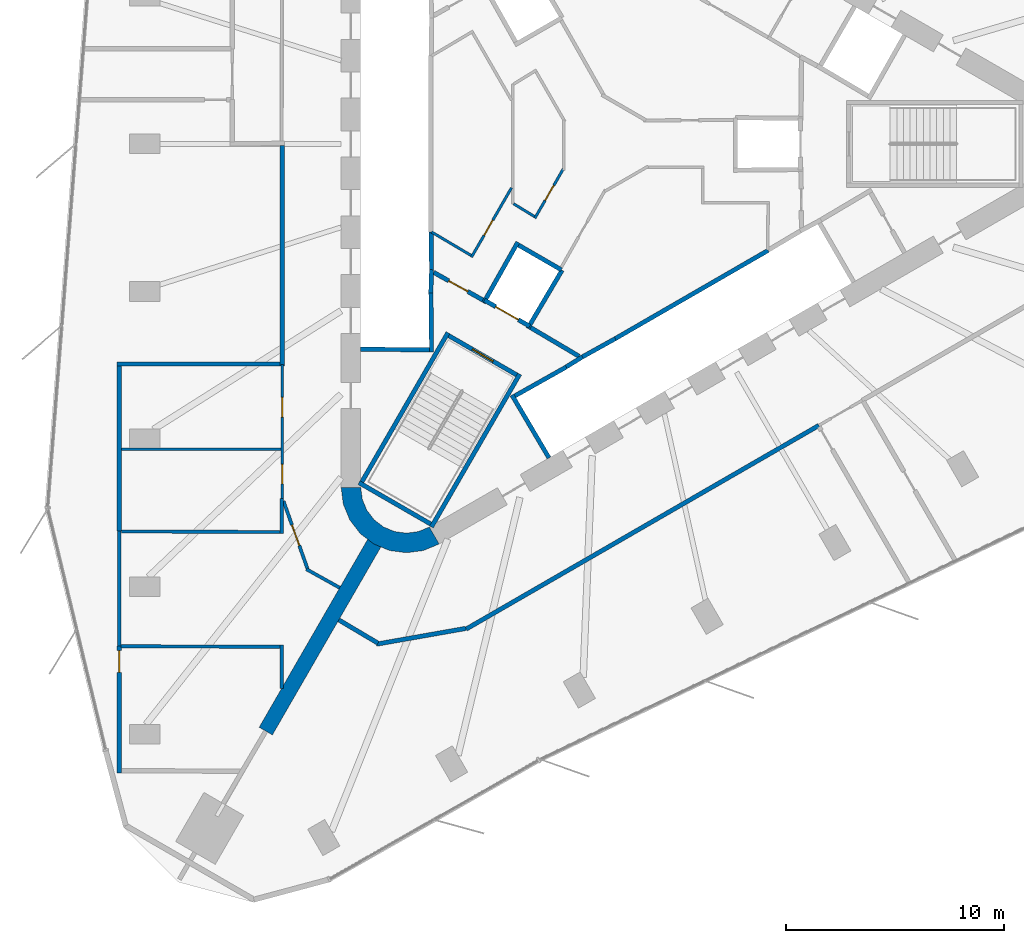
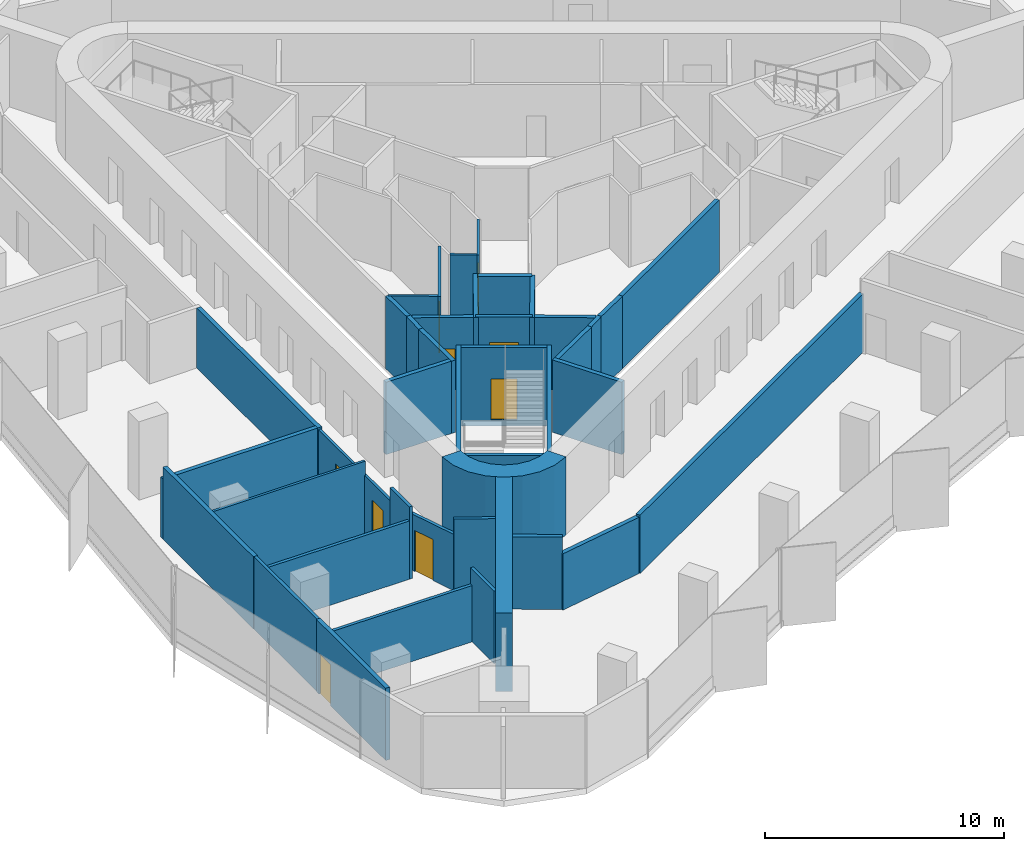
# One storey, part 8 of 13: 41 walls, 9 doors, 9 openings.
"""IFC4 building model written with IfcOpenShell, lengths in metres."""

import ifcopenshell
import ifcopenshell.guid

model = None  # the IFC model being written
_history = None  # IfcOwnerHistory: only IFC2X3 demands one
_inside = {}  # id of a spatial element -> (the spatial element, [elements in it])
_under = {}  # id of a project, library or spatial element -> (it, [spatial elements below it])
_declared = {}  # id of a project -> (the project, [libraries it declares])
_typed = {}  # id of a type object -> (the type object, [elements of that type])
_made_of = {}  # id of a material, layer set ... -> (it, [elements and type objects made of it])


def new_model(schema):
    """Start an empty IFC model of exactly this schema.

    Asked for "IFC4X3", IfcOpenShell would pick the latest addendum, in which some entities
    have other attributes; the version numbers below select the first issue.
    IFC2X3 requires an IfcOwnerHistory on every rooted entity: one is made here for all.
    """
    global model, _history
    if schema == "IFC4X3":
        model = ifcopenshell.file(schema_version=(4, 3, 0, 0))
    else:
        model = ifcopenshell.file(schema=schema)
    _inside.clear()
    _under.clear()
    _declared.clear()
    _typed.clear()
    _made_of.clear()
    _history = None
    if model.schema == "IFC2X3":
        org = make("IfcOrganization", Name="unknown")
        user = make(
            "IfcPersonAndOrganization",
            ThePerson=make("IfcPerson", FamilyName="unknown"),
            TheOrganization=org,
        )
        app = make(
            "IfcApplication",
            ApplicationDeveloper=org,
            Version="unknown",
            ApplicationFullName="unknown",
            ApplicationIdentifier="unknown",
        )
        _history = make(
            "IfcOwnerHistory",
            OwningUser=user,
            OwningApplication=app,
            ChangeAction="ADDED",
            CreationDate=0,
        )
    return model


def make(cls, **values):
    """One entity of the class cls with the attributes given. An attribute that is None is left unset."""
    return model.create_entity(
        cls, **{name: value for name, value in values.items() if value is not None}
    )


def rooted(cls, **values):
    """An entity with a GlobalId (a new one), such as an element, a storey or a relation."""
    return make(cls, GlobalId=ifcopenshell.guid.new(), OwnerHistory=_history, **values)


def si_unit(unit_type, name, prefix=None):
    """IfcSIUnit, for example si_unit("LENGTHUNIT", "METRE", prefix="MILLI")."""
    return make("IfcSIUnit", UnitType=unit_type, Prefix=prefix, Name=name)


def assignment(units):
    """IfcUnitAssignment: the units of a project."""
    return None if units is None else make("IfcUnitAssignment", Units=units)


def point(xyz):
    """IfcCartesianPoint."""
    return None if xyz is None else make("IfcCartesianPoint", Coordinates=xyz)


def direction(xyz):
    """IfcDirection."""
    return None if xyz is None else make("IfcDirection", DirectionRatios=xyz)


def frame(location, z_axis=None, x_axis=None):
    """IfcAxis2Placement3D, a coordinate frame: its origin and axes. An axis left out is left unset."""
    return make(
        "IfcAxis2Placement3D",
        Location=point(location),
        Axis=direction(z_axis),
        RefDirection=direction(x_axis),
    )


def frame_2d(location, x_axis=None):
    """IfcAxis2Placement2D, a coordinate frame in the plane: its origin and x axis."""
    return make(
        "IfcAxis2Placement2D", Location=point(location), RefDirection=direction(x_axis)
    )


def origin():
    """The frame at (0, 0, 0) with its axes left unset."""
    return frame((0.0, 0.0, 0.0))


def place(relative_to, where):
    """IfcLocalPlacement: puts the frame where relative to a parent placement (None: the world)."""
    return make(
        "IfcLocalPlacement", PlacementRelTo=relative_to, RelativePlacement=where
    )


def context(
    kind, dimensions, precision=None, world=None, true_north=None, identifier=None
):
    """IfcGeometricRepresentationContext, for example the 3D "Model" context."""
    return make(
        "IfcGeometricRepresentationContext",
        ContextIdentifier=identifier,
        ContextType=kind,
        CoordinateSpaceDimension=dimensions,
        Precision=precision,
        WorldCoordinateSystem=world,
        TrueNorth=true_north,
    )


def subcontext(parent, identifier, kind, view, scale=None):
    """IfcGeometricRepresentationSubContext, for example "Body" below "Model"."""
    return make(
        "IfcGeometricRepresentationSubContext",
        ContextIdentifier=identifier,
        ContextType=kind,
        ParentContext=parent,
        TargetScale=scale,
        TargetView=view,
    )


def project(units=None, contexts=None):
    """IfcProject with its units and contexts."""
    return rooted(
        "IfcProject",
        Name="project",
        RepresentationContexts=contexts,
        UnitsInContext=assignment(units),
    )


def spatial(cls, under=None, at=None, **own):
    """A site, building, storey or space (cls), placed at a placement, below another one or the project."""
    s = rooted(cls, ObjectPlacement=at, **own)
    if under is not None:
        _under.setdefault(under.id(), (under, []))[1].append(s)
    return s


def polyline(points):
    """IfcPolyline through the points."""
    return make("IfcPolyline", Points=[point(p) for p in points])


def profile(cls, at=None, kind="AREA", **sizes):
    """A parametric profile (cls). Its sizes go by their IFC names, for example OverallWidth=200.0."""
    return make(cls, ProfileType=kind, Position=at, **sizes)


def rectangle(**sizes):
    """IfcRectangleProfileDef."""
    return profile("IfcRectangleProfileDef", **sizes)


def outline(outer, holes=None, kind="AREA"):
    """IfcArbitraryClosedProfileDef: a profile drawn as a closed curve; with holes, ...WithVoids."""
    if holes is None:
        return make("IfcArbitraryClosedProfileDef", ProfileType=kind, OuterCurve=outer)
    return make(
        "IfcArbitraryProfileDefWithVoids",
        ProfileType=kind,
        OuterCurve=outer,
        InnerCurves=holes,
    )


def extrude(swept, where, along, depth):
    """IfcExtrudedAreaSolid: the profile swept, set in the frame where, extruded along a direction by depth."""
    return make(
        "IfcExtrudedAreaSolid",
        SweptArea=swept,
        Position=where,
        ExtrudedDirection=direction(along),
        Depth=depth,
    )


def shape(context_of_items, identifier, shape_type, items):
    """IfcShapeRepresentation: the items that make up one representation, for example the "Body"."""
    return make(
        "IfcShapeRepresentation",
        ContextOfItems=context_of_items,
        RepresentationIdentifier=identifier,
        RepresentationType=shape_type,
        Items=items,
    )


def material(Name=None, Category=None):
    """IfcMaterial."""
    return make("IfcMaterial", Name=Name, Category=Category)


def layer(
    of_material, thickness, ventilated=None, Name=None, Category=None, Priority=None
):
    """IfcMaterialLayer: one layer of a wall or slab, of a material (None: an air gap)."""
    return make(
        "IfcMaterialLayer",
        Material=of_material,
        LayerThickness=thickness,
        IsVentilated=ventilated,
        Name=Name,
        Category=Category,
        Priority=Priority,
    )


def layer_set(layers, Name=None):
    """IfcMaterialLayerSet."""
    return make("IfcMaterialLayerSet", MaterialLayers=layers, LayerSetName=Name)


def made_of(thing, what):
    """Note that an element or type object is made of a material, layer set ...; save() writes the relation."""
    if what is not None:
        _made_of.setdefault(what.id(), (what, []))[1].append(thing)
    return thing


def type_object(cls, material=None, **own):
    """A type object (cls), such as IfcWallType, which elements share."""
    return made_of(rooted(cls, **own), material)


def element(
    cls,
    number,
    at=None,
    inside=None,
    cuts=None,
    type_object=None,
    material=None,
    context=None,
    identifier="Body",
    shape_type=None,
    held_by="IfcProductDefinitionShape",
    body=None,
    shapes=None,
    **own,
):
    """One element of the class cls, such as IfcWall. Its Tag is "e" and its number.

    at: its placement. inside: the storey or other place that contains it. cuts: it is an
    opening in that element (IfcRelVoidsElement). A single representation is given by context,
    identifier, shape_type and body (its items); several are given by shapes. held_by: the class
    of the entity that holds the representations. save() writes the other relations.
    """
    e = rooted(cls, Tag="e%d" % number, ObjectPlacement=at, **own)
    if body is not None:
        shapes = [shape(context, identifier, shape_type, body)]
    if shapes is not None:
        e.Representation = make(held_by, Representations=shapes)
    if inside is not None:
        _inside.setdefault(inside.id(), (inside, []))[1].append(e)
    if cuts is not None:
        rooted(
            "IfcRelVoidsElement", RelatingBuildingElement=cuts, RelatedOpeningElement=e
        )
    if type_object is not None:
        _typed.setdefault(type_object.id(), (type_object, []))[1].append(e)
    return made_of(e, material)


def fill(opening, filler):
    """IfcRelFillsElement: the door or window that sits in an opening."""
    return rooted(
        "IfcRelFillsElement",
        RelatingOpeningElement=opening,
        RelatedBuildingElement=filler,
    )


def aggregate(whole, parts):
    """IfcRelAggregates: a whole, such as a stair, and the parts it consists of."""
    return rooted("IfcRelAggregates", RelatingObject=whole, RelatedObjects=parts)


def save(model, path):
    """Write the relations noted so far, then the file.

    IfcRelAggregates (storeys below a building ...), IfcRelContainedInSpatialStructure (elements
    in a storey), IfcRelDefinesByType, IfcRelAssociatesMaterial and IfcRelDeclares: one each for
    every whole, place, type object, material and project.
    """
    for whole, parts in _under.values():
        aggregate(whole, parts)
    for where, things in _inside.values():
        rooted(
            "IfcRelContainedInSpatialStructure",
            RelatedElements=things,
            RelatingStructure=where,
        )
    for kind, things in _typed.values():
        rooted("IfcRelDefinesByType", RelatedObjects=things, RelatingType=kind)
    for what, things in _made_of.values():
        rooted("IfcRelAssociatesMaterial", RelatedObjects=things, RelatingMaterial=what)
    for by, libraries in _declared.values():
        rooted("IfcRelDeclares", RelatingContext=by, RelatedDefinitions=libraries)
    model.write(path)


model = new_model("IFC4")

# Units and contexts
model_context = context("Model", 3, precision=1e-05, world=origin(), true_north=direction((0.0, 1.0)))
body_context = subcontext(model_context, "Body", "Model", "MODEL_VIEW")
ifc_project = project(units=[si_unit("LENGTHUNIT", "METRE"), si_unit("AREAUNIT", "SQUARE_METRE"), si_unit("VOLUMEUNIT", "CUBIC_METRE"), si_unit("PLANEANGLEUNIT", "RADIAN"), si_unit("MASSUNIT", "GRAM", prefix="KILO")], contexts=[model_context])

# Site, building, storey
site_placement = place(None, origin())
site = spatial("IfcSite", under=ifc_project, at=site_placement, CompositionType="ELEMENT")
building_placement = place(site_placement, origin())
building = spatial("IfcBuilding", under=site, at=building_placement, Name="Tanit Gate Tower", CompositionType="ELEMENT")
storey_placement = place(building_placement, frame((0.0, 0.0, 265.199951171875)))
storey = spatial("IfcBuildingStorey", under=building, at=storey_placement, Name="L60", CompositionType="ELEMENT", Elevation=265.199951171875)

# Walls
ifc_material_1 = material(Name="Concrete C50/60", Category="concrete")
ifc_layer_1 = layer(ifc_material_1, 0.699951171875)
ifc_layer_set_1 = layer_set([ifc_layer_1], Name="BUTTRESS FIN 700 C50/60")
wall_type_1 = type_object("IfcWallType", Name="BUTTRESS FIN 700 C50/60", PredefinedType="SHEAR", material=ifc_layer_set_1)
wall_1_placement = place(storey_placement, frame((-10.574951171875, -18.31640625, 0.0), z_axis=(0.0, 0.0, 1.0), x_axis=(-0.500007350791, -0.866021159762, 0.0)))
element("IfcWall", 1, at=wall_1_placement, inside=storey, type_object=wall_type_1, Name="BUTTRESS FIN", PredefinedType="SHEAR", context=body_context, shape_type="SweptSolid", body=[
    extrude(rectangle(XDim=9.964599609375, YDim=0.699951171875, at=frame_2d((4.982421875, 0.0))), origin(), (0.0, 0.0, 1.0), 4.0),
])
ifc_material_2 = material(Name="Concrete C50/60", Category="concrete")
ifc_layer_2 = layer(ifc_material_2, 0.89990234375)
ifc_layer_set_2 = layer_set([ifc_layer_2], Name="CORE WALL 900 C50/60")
wall_type_2 = type_object("IfcWallType", Name="CORE WALL 900 C50/60", PredefinedType="SHEAR", material=ifc_layer_set_2)
wall_2_placement = place(storey_placement, origin())
element("IfcWall", 2, at=wall_2_placement, inside=storey, type_object=wall_type_2, Name="CORE WALL CORNER", PredefinedType="SHEAR", context=body_context, shape_type="SweptSolid", body=[
    extrude(outline(polyline([(-12.10009765625, -15.76171875), (-11.997802734375, -16.5380859375), (-11.697998046875, -17.26171875), (-11.22119140625, -17.883056640625), (-10.60009765625, -18.359619140625), (-9.87646484375, -18.659423828125), (-9.10009765625, -18.76171875), (-8.323486328125, -18.659423828125), (-7.60009765625, -18.359619140625), (-8.050048828125, -17.580322265625), (-8.556396484375, -17.7900390625), (-9.10009765625, -17.86181640625), (-9.6435546875, -17.7900390625), (-10.14990234375, -17.580322265625), (-10.5849609375, -17.24658203125), (-10.918701171875, -16.811767578125), (-11.12841796875, -16.30517578125), (-11.199951171875, -15.76171875), (-12.10009765625, -15.76171875)])), origin(), (0.0, 0.0, 1.0), 4.0),
])
ifc_material_3 = material(Name="Fire-rated gypsum board partition")
ifc_layer_3 = layer(ifc_material_3, 0.199951171875)
ifc_layer_set_3 = layer_set([ifc_layer_3], Name="INT-WALL-COMPARTMENT")
wall_type_3 = type_object("IfcWallType", Name="INT-WALL-COMPARTMENT", PredefinedType="PARTITIONING", material=ifc_layer_set_3)
wall_3_placement = place(storey_placement, frame((-3.400634765625, -8.43017578125, 0.0), z_axis=(0.0, 0.0, 1.0), x_axis=(0.860615607571, -0.509255118781, 0.0)))
element("IfcWall", 3, at=wall_3_placement, inside=storey, type_object=wall_type_3, Name="Wall Compartment W063", PredefinedType="PARTITIONING", context=body_context, shape_type="SweptSolid", body=[
    extrude(rectangle(XDim=2.58056640625, YDim=0.199951171875, at=frame_2d((1.290283203125, 0.0))), origin(), (0.0, 0.0, 1.0), 3.699951171875),
])

# Wall, opening, door
wall_4_placement = place(storey_placement, frame((-7.849365234375, -5.893798828125, 0.0), z_axis=(0.0, 0.0, 1.0), x_axis=(0.871363259478, -0.490638431059, 0.0)))
wall_4 = element("IfcWall", 4, at=wall_4_placement, inside=storey, type_object=wall_type_3, Name="Wall Compartment W064", PredefinedType="PARTITIONING", context=body_context, shape_type="SweptSolid", body=[
    extrude(rectangle(XDim=2.5810546875, YDim=0.199951171875, at=frame_2d((1.29052734375, 0.0))), origin(), (0.0, 0.0, 1.0), 3.699951171875),
])
opening_1_placement = place(wall_4_placement, frame((0.79052734375, 0.0, 0.0)))
opening_1 = element("IfcOpeningElement", 5, at=opening_1_placement, cuts=wall_4, Name="Opening F10-S17-08", PredefinedType="OPENING", context=body_context, shape_type="SweptSolid", body=[
    extrude(rectangle(XDim=1.0, YDim=2.10009765625, at=frame_2d((0.5, 1.050048828125))), frame((0.0, 0.10986328125, 0.0), z_axis=(0.0, -1.0, 0.0), x_axis=(1.0, 0.0, 0.0)), (0.0, 0.0, 1.0), 0.219970703125),
])
ifc_material_4 = material(Name="Fire-rated steel door leaf", Category="steel")
door_type_1 = type_object("IfcDoorType", Name="INT-DOOR-FIRE-1000", OperationType="NOTDEFINED", PredefinedType="USERDEFINED", material=ifc_material_4)
door_1_placement = place(opening_1_placement, origin())
door_1 = element("IfcDoor", 6, at=door_1_placement, inside=storey, type_object=door_type_1, Name="Door F10-S17-08", ObjectType="FIRE DOOR", OperationType="SINGLE_SWING_RIGHT", OverallHeight=2.10009765625, OverallWidth=1.0, PredefinedType="USERDEFINED", context=body_context, shape_type="SweptSolid", body=[
    extrude(rectangle(XDim=1.0, YDim=2.10009765625, at=frame_2d((0.5, 1.050048828125))), frame((0.0, 0.02490234375, 0.0), z_axis=(0.0, -1.0, 0.0), x_axis=(1.0, 0.0, 0.0)), (0.0, 0.0, 1.0), 0.050048828125),
])
fill(opening_1, door_1)

# Walls
wall_5_placement = place(storey_placement, frame((-14.800048828125, -0.070068359375, 0.0), z_axis=(0.0, 0.0, 1.0), x_axis=(0.0, -1.0, 0.0)))
element("IfcWall", 7, at=wall_5_placement, inside=storey, type_object=wall_type_3, Name="Wall Compartment W093", PredefinedType="PARTITIONING", context=body_context, shape_type="SweptSolid", body=[
    extrude(rectangle(XDim=10.1298828125, YDim=0.199951171875, at=frame_2d((5.06494140625, 0.0))), origin(), (0.0, 0.0, 1.0), 3.070068359375),
])
wall_6_placement = place(storey_placement, frame((-6.3662109375, -22.26611328125, 0.0), z_axis=(0.0, 0.0, 1.0), x_axis=(0.866027932408, 0.49999562027, 0.0)))
element("IfcWall", 8, at=wall_6_placement, inside=storey, type_object=wall_type_3, Name="Wall Compartment W109", PredefinedType="PARTITIONING", context=body_context, shape_type="SweptSolid", body=[
    extrude(rectangle(XDim=18.696533203125, YDim=0.199951171875, at=frame_2d((9.34814453125, 0.0))), origin(), (0.0, 0.0, 1.0), 2.97998046875),
])
wall_7_placement = place(storey_placement, frame((-10.479736328125, -22.956787109375, 0.0), z_axis=(0.0, 0.0, 1.0), x_axis=(0.984812459939, 0.173621481242, 0.0)))
element("IfcWall", 9, at=wall_7_placement, inside=storey, type_object=wall_type_3, Name="Wall Compartment W110", PredefinedType="PARTITIONING", context=body_context, shape_type="SweptSolid", body=[
    extrude(rectangle(XDim=4.1650390625, YDim=0.199951171875, at=frame_2d((2.08251953125, 0.0))), origin(), (0.0, 0.0, 1.0), 2.880126953125),
])
wall_8_placement = place(storey_placement, frame((-12.20703125, -21.84326171875, 0.0), z_axis=(0.0, 0.0, 1.0), x_axis=(0.859912345357, -0.510441728606, 0.0)))
element("IfcWall", 10, at=wall_8_placement, inside=storey, type_object=wall_type_3, Name="Wall Compartment W111", PredefinedType="PARTITIONING", context=body_context, shape_type="SweptSolid", body=[
    extrude(rectangle(XDim=2.093017578125, YDim=0.199951171875, at=frame_2d((1.04638671875, 0.0))), origin(), (0.0, 0.0, 1.0), 3.699951171875),
])
wall_9_placement = place(storey_placement, frame((-14.89990234375, -10.10009765625, 0.0), z_axis=(0.0, 0.0, 1.0), x_axis=(-1.0, 0.0, 0.0)))
element("IfcWall", 11, at=wall_9_placement, inside=storey, type_object=wall_type_3, Name="Wall Compartment W116", PredefinedType="PARTITIONING", context=body_context, shape_type="SweptSolid", body=[
    extrude(rectangle(XDim=7.47998046875, YDim=0.199951171875, at=frame_2d((3.739990234375, 0.0))), origin(), (0.0, 0.0, 1.0), 3.070068359375),
])

# Wall, opening, door
wall_10_placement = place(storey_placement, frame((-22.280029296875, -28.860107421875, 0.0), z_axis=(0.0, 0.0, 1.0), x_axis=(0.0, 1.0, 0.0)))
wall_10 = element("IfcWall", 12, at=wall_10_placement, inside=storey, type_object=wall_type_3, Name="Wall Compartment W120", PredefinedType="PARTITIONING", context=body_context, shape_type="SweptSolid", body=[
    extrude(rectangle(XDim=5.8173828125, YDim=0.199951171875, at=frame_2d((2.90869140625, 0.0))), origin(), (0.0, 0.0, 1.0), 3.699951171875),
])
opening_2_placement = place(wall_10_placement, frame((4.60986328125, 0.0, 0.0)))
opening_2 = element("IfcOpeningElement", 13, at=opening_2_placement, cuts=wall_10, Name="Opening F10-S17-26", PredefinedType="OPENING", context=body_context, shape_type="SweptSolid", body=[
    extrude(rectangle(XDim=1.0, YDim=2.10009765625, at=frame_2d((0.5, 1.050048828125))), frame((0.0, 0.10986328125, 0.0), z_axis=(0.0, -1.0, 0.0), x_axis=(1.0, 0.0, 0.0)), (0.0, 0.0, 1.0), 0.219970703125),
])
door_2_placement = place(opening_2_placement, origin())
door_2 = element("IfcDoor", 14, at=door_2_placement, inside=storey, type_object=door_type_1, Name="Door F10-S17-26", ObjectType="FIRE DOOR", OperationType="SINGLE_SWING_RIGHT", OverallHeight=2.10009765625, OverallWidth=1.0, PredefinedType="USERDEFINED", context=body_context, shape_type="SweptSolid", body=[
    extrude(rectangle(XDim=1.0, YDim=2.10009765625, at=frame_2d((0.5, 1.050048828125))), frame((0.0, 0.02490234375, 0.0), z_axis=(0.0, -1.0, 0.0), x_axis=(1.0, 0.0, 0.0)), (0.0, 0.0, 1.0), 0.050048828125),
])
fill(opening_2, door_2)

# Wall
wall_11_placement = place(storey_placement, frame((-22.280029296875, -17.77392578125, 0.0), z_axis=(0.0, 0.0, 1.0), x_axis=(0.0, 1.0, 0.0)))
element("IfcWall", 15, at=wall_11_placement, inside=storey, type_object=wall_type_3, Name="Wall Compartment W118", PredefinedType="PARTITIONING", context=body_context, shape_type="SweptSolid", body=[
    extrude(rectangle(XDim=7.573974609375, YDim=0.199951171875, at=frame_2d((3.787109375, 0.0))), origin(), (0.0, 0.0, 1.0), 3.699951171875),
])

# Wall, opening, door
ifc_material_5 = material(Name="Gypsum board partition")
ifc_layer_4 = layer(ifc_material_5, 0.1201171875)
ifc_layer_set_4 = layer_set([ifc_layer_4], Name="INT-WALL-PARTITION")
wall_type_4 = type_object("IfcWallType", Name="INT-WALL-PARTITION", PredefinedType="PARTITIONING", material=ifc_layer_set_4)
wall_12_placement = place(storey_placement, frame((-6.1181640625, -5.197265625, 0.0), z_axis=(0.0, 0.0, 1.0), x_axis=(0.499979045085, 0.866037501772, 0.0)))
wall_12 = element("IfcWall", 16, at=wall_12_placement, inside=storey, type_object=wall_type_4, Name="Wall Partition W075", PredefinedType="PARTITIONING", context=body_context, shape_type="SweptSolid", body=[
    extrude(rectangle(XDim=3.678955078125, YDim=0.1201171875, at=frame_2d((1.83935546875, 0.0))), origin(), (0.0, 0.0, 1.0), 3.699951171875),
])
opening_3_placement = place(wall_12_placement, frame((1.159912109375, 0.0, 0.0)))
opening_3 = element("IfcOpeningElement", 17, at=opening_3_placement, cuts=wall_12, Name="Opening R08-S17-12", PredefinedType="OPENING", context=body_context, shape_type="SweptSolid", body=[
    extrude(rectangle(XDim=0.800048828125, YDim=2.10009765625, at=frame_2d((0.39990234375, 1.050048828125))), frame((0.0, 0.070068359375, 0.0), z_axis=(0.0, -1.0, 0.0), x_axis=(1.0, 0.0, 0.0)), (0.0, 0.0, 1.0), 0.14013671875),
])
ifc_material_6 = material(Name="Timber door leaf", Category="wood")
door_type_2 = type_object("IfcDoorType", Name="INT-DOOR-RISER-800", OperationType="NOTDEFINED", PredefinedType="USERDEFINED", material=ifc_material_6)
door_3_placement = place(opening_3_placement, origin())
door_3 = element("IfcDoor", 18, at=door_3_placement, inside=storey, type_object=door_type_2, Name="Door R08-S17-12", ObjectType="FIRE DOOR", OperationType="SINGLE_SWING_LEFT", OverallHeight=2.10009765625, OverallWidth=0.800048828125, PredefinedType="USERDEFINED", context=body_context, shape_type="SweptSolid", body=[
    extrude(rectangle(XDim=0.800048828125, YDim=2.10009765625, at=frame_2d((0.39990234375, 1.050048828125))), frame((0.0, 0.02490234375, 0.0), z_axis=(0.0, -1.0, 0.0), x_axis=(1.0, 0.0, 0.0)), (0.0, 0.0, 1.0), 0.050048828125),
])
fill(opening_3, door_3)

# Wall
wall_13_placement = place(storey_placement, frame((-7.949951171875, -4.041015625, 0.0), z_axis=(0.0, 0.0, 1.0), x_axis=(0.860112457103, -0.510104461004, 0.0)))
element("IfcWall", 19, at=wall_13_placement, inside=storey, type_object=wall_type_4, Name="Wall Partition W076", PredefinedType="PARTITIONING", context=body_context, shape_type="SweptSolid", body=[
    extrude(rectangle(XDim=2.1044921875, YDim=0.1201171875, at=frame_2d((1.05224609375, 0.0))), origin(), (0.0, 0.0, 1.0), 3.699951171875),
])

# Wall, opening, door
wall_14_placement = place(storey_placement, frame((-3.2109375, -3.41162109375, 0.0), z_axis=(0.0, 0.0, 1.0), x_axis=(0.500013727357, 0.866017478146, 0.0)))
wall_14 = element("IfcWall", 20, at=wall_14_placement, inside=storey, type_object=wall_type_4, Name="Wall Partition W082", PredefinedType="PARTITIONING", context=body_context, shape_type="SweptSolid", body=[
    extrude(rectangle(XDim=2.63623046875, YDim=0.1201171875, at=frame_2d((1.318115234375, 0.0))), origin(), (0.0, 0.0, 1.0), 3.699951171875),
])
opening_4_placement = place(wall_14_placement, frame((0.947998046875, 0.0, 0.0)))
opening_4 = element("IfcOpeningElement", 21, at=opening_4_placement, cuts=wall_14, Name="Opening R08-S17-13", PredefinedType="OPENING", context=body_context, shape_type="SweptSolid", body=[
    extrude(rectangle(XDim=0.800048828125, YDim=2.10009765625, at=frame_2d((0.39990234375, 1.050048828125))), frame((0.0, 0.070068359375, 0.0), z_axis=(0.0, -1.0, 0.0), x_axis=(1.0, 0.0, 0.0)), (0.0, 0.0, 1.0), 0.14013671875),
])
door_4_placement = place(opening_4_placement, origin())
door_4 = element("IfcDoor", 22, at=door_4_placement, inside=storey, type_object=door_type_2, Name="Door R08-S17-13", ObjectType="FIRE DOOR", OperationType="SINGLE_SWING_RIGHT", OverallHeight=2.10009765625, OverallWidth=0.800048828125, PredefinedType="USERDEFINED", context=body_context, shape_type="SweptSolid", body=[
    extrude(rectangle(XDim=0.800048828125, YDim=2.10009765625, at=frame_2d((0.39990234375, 1.050048828125))), frame((0.0, 0.02490234375, 0.0), z_axis=(0.0, -1.0, 0.0), x_axis=(1.0, 0.0, 0.0)), (0.0, 0.0, 1.0), 0.050048828125),
])
fill(opening_4, door_4)

# Wall
wall_15_placement = place(storey_placement, frame((-4.188720703125, -2.74365234375, 0.0), z_axis=(0.0, 0.0, 1.0), x_axis=(0.853217230587, -0.521555708845, 0.0)))
element("IfcWall", 23, at=wall_15_placement, inside=storey, type_object=wall_type_4, Name="Wall Partition W083", PredefinedType="PARTITIONING", context=body_context, shape_type="SweptSolid", body=[
    extrude(rectangle(XDim=1.12109375, YDim=0.1201171875, at=frame_2d((0.560546875, 0.0))), origin(), (0.0, 0.0, 1.0), 3.699951171875),
])

# Wall, openings, doors
wall_16_placement = place(storey_placement, frame((-14.800048828125, -10.1298828125, 0.0), z_axis=(0.0, 0.0, 1.0), x_axis=(0.0, -1.0, 0.0)))
wall_16 = element("IfcWall", 24, at=wall_16_placement, inside=storey, type_object=wall_type_4, Name="Wall Partition W094", PredefinedType="PARTITIONING", context=body_context, shape_type="SweptSolid", body=[
    extrude(rectangle(XDim=6.138427734375, YDim=0.1201171875, at=frame_2d((3.0693359375, 0.0))), origin(), (0.0, 0.0, 1.0), 2.97998046875),
])
opening_5_placement = place(wall_16_placement, frame((1.505615234375, 0.0, 0.0)))
opening_5 = element("IfcOpeningElement", 25, at=opening_5_placement, cuts=wall_16, Name="Opening D09-S17-23", PredefinedType="OPENING", context=body_context, shape_type="SweptSolid", body=[
    extrude(rectangle(XDim=0.89990234375, YDim=2.10009765625, at=frame_2d((0.449951171875, 1.050048828125))), frame((0.0, 0.070068359375, 0.0), z_axis=(0.0, -1.0, 0.0), x_axis=(1.0, 0.0, 0.0)), (0.0, 0.0, 1.0), 0.14013671875),
])
opening_6_placement = place(wall_16_placement, frame((4.57470703125, 0.0, 0.0)))
opening_6 = element("IfcOpeningElement", 26, at=opening_6_placement, cuts=wall_16, Name="Opening D09-S17-24", PredefinedType="OPENING", context=body_context, shape_type="SweptSolid", body=[
    extrude(rectangle(XDim=0.89990234375, YDim=2.10009765625, at=frame_2d((0.449951171875, 1.050048828125))), frame((0.0, 0.070068359375, 0.0), z_axis=(0.0, -1.0, 0.0), x_axis=(1.0, 0.0, 0.0)), (0.0, 0.0, 1.0), 0.14013671875),
])
ifc_material_7 = material(Name="Timber door leaf", Category="wood")
door_type_3 = type_object("IfcDoorType", Name="INT-DOOR-SINGLE-900", OperationType="NOTDEFINED", PredefinedType="NOTDEFINED", material=ifc_material_7)
door_5_placement = place(opening_5_placement, origin())
door_5 = element("IfcDoor", 27, at=door_5_placement, inside=storey, type_object=door_type_3, Name="Door D09-S17-23", OperationType="SINGLE_SWING_RIGHT", OverallHeight=2.10009765625, OverallWidth=0.89990234375, PredefinedType="NOTDEFINED", context=body_context, shape_type="SweptSolid", body=[
    extrude(rectangle(XDim=0.89990234375, YDim=2.10009765625, at=frame_2d((0.449951171875, 1.050048828125))), frame((0.0, 0.02490234375, 0.0), z_axis=(0.0, -1.0, 0.0), x_axis=(1.0, 0.0, 0.0)), (0.0, 0.0, 1.0), 0.050048828125),
])
fill(opening_5, door_5)
door_6_placement = place(opening_6_placement, origin())
door_6 = element("IfcDoor", 28, at=door_6_placement, inside=storey, type_object=door_type_3, Name="Door D09-S17-24", OperationType="SINGLE_SWING_RIGHT", OverallHeight=2.10009765625, OverallWidth=0.89990234375, PredefinedType="NOTDEFINED", context=body_context, shape_type="SweptSolid", body=[
    extrude(rectangle(XDim=0.89990234375, YDim=2.10009765625, at=frame_2d((0.449951171875, 1.050048828125))), frame((0.0, 0.02490234375, 0.0), z_axis=(0.0, -1.0, 0.0), x_axis=(1.0, 0.0, 0.0)), (0.0, 0.0, 1.0), 0.050048828125),
])
fill(opening_6, door_6)

# Walls
wall_17_placement = place(storey_placement, frame((-22.179931640625, -14.01123046875, 0.0), z_axis=(0.0, 0.0, 1.0), x_axis=(1.0, 0.0, 0.0)))
element("IfcWall", 29, at=wall_17_placement, inside=storey, type_object=wall_type_4, Name="Wall Partition W131", PredefinedType="PARTITIONING", context=body_context, shape_type="SweptSolid", body=[
    extrude(rectangle(XDim=7.349853515625, YDim=0.1201171875, at=frame_2d((3.6748046875, 0.0))), origin(), (0.0, 0.0, 1.0), 3.699951171875),
])
ifc_material_8 = material(Name="Fire-rated gypsum board partition")
ifc_layer_5 = layer(ifc_material_8, 0.14990234375)
ifc_layer_set_5 = layer_set([ifc_layer_5], Name="INT-WALL-RISER")
wall_type_5 = type_object("IfcWallType", Name="INT-WALL-RISER", PredefinedType="PLUMBINGWALL", material=ifc_layer_set_5)
wall_18_placement = place(storey_placement, frame((-13.69580078125, -19.513916015625, 0.0), z_axis=(0.0, 0.0, 1.0), x_axis=(0.873335409284, -0.487119351792, 0.0)))
element("IfcWall", 30, at=wall_18_placement, inside=storey, type_object=wall_type_5, Name="Wall Riser W096", PredefinedType="PLUMBINGWALL", context=body_context, shape_type="SweptSolid", body=[
    extrude(rectangle(XDim=1.754150390625, YDim=0.14990234375, at=frame_2d((0.876953125, 0.0))), origin(), (0.0, 0.0, 1.0), 3.699951171875),
])

# Wall, opening, door
wall_19_placement = place(storey_placement, frame((-14.74267578125, -16.393798828125, 0.0), z_axis=(0.0, 0.0, 1.0), x_axis=(0.334298080075, -0.942467396602, 0.0)))
wall_19 = element("IfcWall", 31, at=wall_19_placement, inside=storey, type_object=wall_type_5, Name="Wall Riser W097", PredefinedType="PLUMBINGWALL", context=body_context, shape_type="SweptSolid", body=[
    extrude(rectangle(XDim=3.317138671875, YDim=0.14990234375, at=frame_2d((1.65869140625, 0.0))), origin(), (0.0, 0.0, 1.0), 2.880126953125),
])
opening_7_placement = place(wall_19_placement, frame((1.158447265625, 0.0, 0.0)))
opening_7 = element("IfcOpeningElement", 32, at=opening_7_placement, cuts=wall_19, Name="Opening F10-S17-25", PredefinedType="OPENING", context=body_context, shape_type="SweptSolid", body=[
    extrude(rectangle(XDim=1.0, YDim=2.10009765625, at=frame_2d((0.5, 1.050048828125))), frame((0.0, 0.0849609375, 0.0), z_axis=(0.0, -1.0, 0.0), x_axis=(1.0, 0.0, 0.0)), (0.0, 0.0, 1.0), 0.169921875),
])
door_7_placement = place(opening_7_placement, origin())
door_7 = element("IfcDoor", 33, at=door_7_placement, inside=storey, type_object=door_type_1, Name="Door F10-S17-25", ObjectType="FIRE DOOR", OperationType="SINGLE_SWING_LEFT", OverallHeight=2.10009765625, OverallWidth=1.0, PredefinedType="USERDEFINED", context=body_context, shape_type="SweptSolid", body=[
    extrude(rectangle(XDim=1.0, YDim=2.10009765625, at=frame_2d((0.5, 1.050048828125))), frame((0.0, 0.02490234375, 0.0), z_axis=(0.0, -1.0, 0.0), x_axis=(1.0, 0.0, 0.0)), (0.0, 0.0, 1.0), 0.050048828125),
])
fill(opening_7, door_7)

# Walls
wall_20_placement = place(storey_placement, frame((-22.280029296875, -23.042724609375, 0.0), z_axis=(0.0, 0.0, 1.0), x_axis=(0.0, 1.0, 0.0)))
element("IfcWall", 34, at=wall_20_placement, inside=storey, type_object=wall_type_5, Name="Wall Riser W119", PredefinedType="PLUMBINGWALL", context=body_context, shape_type="SweptSolid", body=[
    extrude(rectangle(XDim=5.268798828125, YDim=0.14990234375, at=frame_2d((2.63427734375, 0.0))), origin(), (0.0, 0.0, 1.0), 3.699951171875),
])
wall_21_placement = place(storey_placement, frame((-14.830078125, -24.986328125, 0.0), z_axis=(0.0, 0.0, 1.0), x_axis=(0.0, 1.0, 0.0)))
element("IfcWall", 35, at=wall_21_placement, inside=storey, type_object=wall_type_5, Name="Wall Riser W134", PredefinedType="PLUMBINGWALL", context=body_context, shape_type="SweptSolid", body=[
    extrude(rectangle(XDim=1.981201171875, YDim=0.14990234375, at=frame_2d((0.99072265625, 0.0))), origin(), (0.0, 0.0, 1.0), 3.699951171875),
])
wall_22_placement = place(storey_placement, frame((-14.830078125, -17.886474609375, 0.0), z_axis=(0.0, 0.0, 1.0), x_axis=(0.0, 1.0, 0.0)))
element("IfcWall", 36, at=wall_22_placement, inside=storey, type_object=wall_type_5, Name="Wall Riser W132", PredefinedType="PLUMBINGWALL", context=body_context, shape_type="SweptSolid", body=[
    extrude(rectangle(XDim=1.6181640625, YDim=0.14990234375, at=frame_2d((0.80908203125, 0.0))), origin(), (0.0, 0.0, 1.0), 3.699951171875),
])
wall_23_placement = place(storey_placement, frame((-14.905029296875, -17.81103515625, 0.0), z_axis=(0.0, 0.0, 1.0), x_axis=(-0.999991891267, 0.004027083259, 0.0)))
element("IfcWall", 37, at=wall_23_placement, inside=storey, type_object=wall_type_5, Name="Wall Riser W133", PredefinedType="PLUMBINGWALL", context=body_context, shape_type="SweptSolid", body=[
    extrude(rectangle(XDim=7.27490234375, YDim=0.14990234375, at=frame_2d((3.637451171875, 0.0))), origin(), (0.0, 0.0, 1.0), 2.97998046875),
])
wall_24_placement = place(storey_placement, frame((-22.205078125, -23.050537109375, 0.0), z_axis=(0.0, 0.0, 1.0), x_axis=(0.999991947035, -0.004013211386, 0.0)))
element("IfcWall", 38, at=wall_24_placement, inside=storey, type_object=wall_type_5, Name="Wall Riser W135", PredefinedType="PLUMBINGWALL", context=body_context, shape_type="SweptSolid", body=[
    extrude(rectangle(XDim=7.300048828125, YDim=0.14990234375, at=frame_2d((3.64990234375, 0.0))), origin(), (0.0, 0.0, 1.0), 2.880126953125),
])
ifc_material_9 = material(Name="Gypsum shaft wall system")
ifc_layer_6 = layer(ifc_material_9, 0.199951171875)
ifc_layer_set_6 = layer_set([ifc_layer_6], Name="INT-WALL-SHAFT")
wall_type_6 = type_object("IfcWallType", Name="INT-WALL-SHAFT", PredefinedType="PLUMBINGWALL", material=ifc_layer_set_6)
wall_25_placement = place(storey_placement, frame((-7.949951171875, -5.7724609375, 0.0), z_axis=(0.0, 0.0, 1.0), x_axis=(-0.030803413295, -0.999525462272, 0.0)))
element("IfcWall", 39, at=wall_25_placement, inside=storey, type_object=wall_type_6, Name="Wall Shaft W008", PredefinedType="PLUMBINGWALL", context=body_context, shape_type="SweptSolid", body=[
    extrude(rectangle(XDim=1.077880859375, YDim=0.199951171875, at=frame_2d((0.5390625, 0.0))), origin(), (0.0, 0.0, 1.0), 3.699951171875),
])
wall_26_placement = place(storey_placement, frame((-7.971435546875, -4.050048828125, 0.0), z_axis=(0.0, 0.0, 1.0), x_axis=(0.012042535896, -0.999927486035, 0.0)))
element("IfcWall", 40, at=wall_26_placement, inside=storey, type_object=wall_type_6, Name="Wall Shaft W009", PredefinedType="PLUMBINGWALL", context=body_context, shape_type="SweptSolid", body=[
    extrude(rectangle(XDim=1.844970703125, YDim=0.199951171875, at=frame_2d((0.92236328125, 0.0))), origin(), (0.0, 0.0, 1.0), 3.699951171875),
])
wall_27_placement = place(storey_placement, frame((-7.97900390625, -6.85009765625, 0.0), z_axis=(0.0, 0.0, 1.0), x_axis=(0.011121475088, -0.999938154483, 0.0)))
element("IfcWall", 41, at=wall_27_placement, inside=storey, type_object=wall_type_6, Name="Wall Shaft W010", PredefinedType="PLUMBINGWALL", context=body_context, shape_type="SweptSolid", body=[
    extrude(rectangle(XDim=2.7001953125, YDim=0.199951171875, at=frame_2d((1.35009765625, 0.0))), origin(), (0.0, 0.0, 1.0), 3.699951171875),
])
wall_28_placement = place(storey_placement, frame((-8.050048828125, -9.448974609375, 0.0), z_axis=(0.0, 0.0, 1.0), x_axis=(-0.999957467379, 0.009222983926, 0.0)))
element("IfcWall", 42, at=wall_28_placement, inside=storey, type_object=wall_type_6, Name="Wall Shaft W011", PredefinedType="PLUMBINGWALL", context=body_context, shape_type="SweptSolid", body=[
    extrude(rectangle(XDim=3.150146484375, YDim=0.199951171875, at=frame_2d((1.5751953125, 0.0))), origin(), (0.0, 0.0, 1.0), 3.699951171875),
])
wall_29_placement = place(storey_placement, frame((0.482666015625, -8.935791015625, 0.0), z_axis=(0.0, 0.0, 1.0), x_axis=(0.866030989016, 0.499990325971, 0.0)))
element("IfcWall", 43, at=wall_29_placement, inside=storey, type_object=wall_type_6, Name="Wall Shaft W023", PredefinedType="PLUMBINGWALL", context=body_context, shape_type="SweptSolid", body=[
    extrude(rectangle(XDim=8.099853515625, YDim=0.199951171875, at=frame_2d((4.0498046875, 0.0))), origin(), (0.0, 0.0, 1.0), 3.699951171875),
])
wall_30_placement = place(storey_placement, frame((-2.557861328125, -14.409423828125, 0.0), z_axis=(0.0, 0.0, 1.0), x_axis=(-0.507997497166, 0.861358544901, 0.0)))
element("IfcWall", 44, at=wall_30_placement, inside=storey, type_object=wall_type_6, Name="Wall Shaft W019", PredefinedType="PLUMBINGWALL", context=body_context, shape_type="SweptSolid", body=[
    extrude(rectangle(XDim=3.350341796875, YDim=0.199951171875, at=frame_2d((1.67529296875, 0.0))), origin(), (0.0, 0.0, 1.0), 3.699951171875),
])
wall_31_placement = place(storey_placement, frame((-1.7685546875, -10.23681640625, 0.0), z_axis=(0.0, 0.0, 1.0), x_axis=(-0.871534483978, -0.490334215854, 0.0)))
element("IfcWall", 45, at=wall_31_placement, inside=storey, type_object=wall_type_6, Name="Wall Shaft W020", PredefinedType="PLUMBINGWALL", context=body_context, shape_type="SweptSolid", body=[
    extrude(rectangle(XDim=2.7001953125, YDim=0.199951171875, at=frame_2d((1.35009765625, 0.0))), origin(), (0.0, 0.0, 1.0), 3.699951171875),
])
wall_32_placement = place(storey_placement, frame((-1.02392578125, -9.77099609375, 0.0), z_axis=(0.0, 0.0, 1.0), x_axis=(-0.850348075135, -0.526220629693, 0.0)))
element("IfcWall", 46, at=wall_32_placement, inside=storey, type_object=wall_type_6, Name="Wall Shaft W021", PredefinedType="PLUMBINGWALL", context=body_context, shape_type="SweptSolid", body=[
    extrude(rectangle(XDim=0.878173828125, YDim=0.199951171875, at=frame_2d((0.43896484375, 0.0))), origin(), (0.0, 0.0, 1.0), 3.699951171875),
])
wall_33_placement = place(storey_placement, frame((-1.130126953125, -9.831298828125, 0.0), z_axis=(0.0, 0.0, 1.0), x_axis=(0.874269620932, 0.485440655401, 0.0)))
element("IfcWall", 47, at=wall_33_placement, inside=storey, type_object=wall_type_6, Name="Wall Shaft W022", PredefinedType="PLUMBINGWALL", context=body_context, shape_type="SweptSolid", body=[
    extrude(rectangle(XDim=1.8447265625, YDim=0.199951171875, at=frame_2d((0.92236328125, 0.0))), origin(), (0.0, 0.0, 1.0), 3.699951171875),
])

# Wall, opening, door
wall_34_placement = place(storey_placement, frame((-3.44580078125, -8.3681640625, 0.0), z_axis=(0.0, 0.0, 1.0), x_axis=(-0.866024647952, 0.500001309137, 0.0)))
wall_34 = element("IfcWall", 48, at=wall_34_placement, inside=storey, type_object=wall_type_6, Name="Wall Shaft W045", PredefinedType="PLUMBINGWALL", context=body_context, shape_type="SweptSolid", body=[
    extrude(rectangle(XDim=2.39990234375, YDim=0.199951171875, at=frame_2d((1.199951171875, 0.0))), origin(), (0.0, 0.0, 1.0), 3.699951171875),
])
opening_8_placement = place(wall_34_placement, frame((0.60009765625, 0.0, 0.0)))
opening_8 = element("IfcOpeningElement", 49, at=opening_8_placement, cuts=wall_34, Name="Opening LDFL3-L60", PredefinedType="OPENING", context=body_context, shape_type="SweptSolid", body=[
    extrude(rectangle(XDim=1.199951171875, YDim=2.39990234375, at=frame_2d((0.60009765625, 1.199951171875))), frame((0.0, 0.10986328125, 0.0), z_axis=(0.0, -1.0, 0.0), x_axis=(1.0, 0.0, 0.0)), (0.0, 0.0, 1.0), 0.219970703125),
])
ifc_material_10 = material(Name="Stainless steel sliding door leaf", Category="steel")
door_type_4 = type_object("IfcDoorType", Name="INT-DOOR-LANDING-1200", OperationType="NOTDEFINED", PredefinedType="USERDEFINED", material=ifc_material_10)
door_8_placement = place(opening_8_placement, origin())
door_8 = element("IfcDoor", 50, at=door_8_placement, inside=storey, type_object=door_type_4, Name="Door LDFL3-L60", ObjectType="LANDING DOOR", OperationType="SLIDING_TO_LEFT", OverallHeight=2.39990234375, OverallWidth=1.199951171875, PredefinedType="USERDEFINED", context=body_context, shape_type="SweptSolid", body=[
    extrude(rectangle(XDim=1.199951171875, YDim=2.39990234375, at=frame_2d((0.60009765625, 1.199951171875))), frame((0.0, 0.02490234375, 0.0), z_axis=(0.0, -1.0, 0.0), x_axis=(1.0, 0.0, 0.0)), (0.0, 0.0, 1.0), 0.050048828125),
])
fill(opening_8, door_8)

# Walls
wall_35_placement = place(storey_placement, frame((-1.960693359375, -5.796142578125, 0.0), z_axis=(0.0, 0.0, 1.0), x_axis=(-0.508647062354, -0.860975125052, 0.0)))
element("IfcWall", 51, at=wall_35_placement, inside=storey, type_object=wall_type_6, Name="Wall Shaft W046", PredefinedType="PLUMBINGWALL", context=body_context, shape_type="SweptSolid", body=[
    extrude(rectangle(XDim=3.10009765625, YDim=0.199951171875, at=frame_2d((1.550048828125, 0.0))), origin(), (0.0, 0.0, 1.0), 3.699951171875),
])
wall_36_placement = place(storey_placement, frame((-3.989990234375, -4.509033203125, 0.0), z_axis=(0.0, 0.0, 1.0), x_axis=(-0.491358283181, -0.870957540612, 0.0)))
element("IfcWall", 52, at=wall_36_placement, inside=storey, type_object=wall_type_6, Name="Wall Shaft W047", PredefinedType="PLUMBINGWALL", context=body_context, shape_type="SweptSolid", body=[
    extrude(rectangle(XDim=3.200439453125, YDim=0.199951171875, at=frame_2d((1.60009765625, 0.0))), origin(), (0.0, 0.0, 1.0), 3.699951171875),
])
wall_37_placement = place(storey_placement, frame((-3.95263671875, -4.646240234375, 0.0), z_axis=(0.0, 0.0, 1.0), x_axis=(0.866065302921, -0.4999308863, 0.0)))
element("IfcWall", 53, at=wall_37_placement, inside=storey, type_object=wall_type_6, Name="Wall Shaft W048", PredefinedType="PLUMBINGWALL", context=body_context, shape_type="SweptSolid", body=[
    extrude(rectangle(XDim=2.264404296875, YDim=0.199951171875, at=frame_2d((1.13232421875, 0.0))), origin(), (0.0, 0.0, 1.0), 3.699951171875),
])
ifc_material_11 = material(Name="Concrete C40/50", Category="concrete")
ifc_layer_7 = layer(ifc_material_11, 0.199951171875)
ifc_layer_set_7 = layer_set([ifc_layer_7], Name="INT-WALL-STAIR")
wall_type_7 = type_object("IfcWallType", Name="INT-WALL-STAIR", PredefinedType="SHEAR", material=ifc_layer_set_7)
wall_38_placement = place(storey_placement, frame((-3.904541015625, -10.56298828125, -0.300048828125), z_axis=(0.0, 0.0, 1.0), x_axis=(-0.500012932018, -0.866017937352, 0.0)))
element("IfcWall", 54, at=wall_38_placement, inside=storey, type_object=wall_type_7, Name="Wall Stair W041", PredefinedType="SHEAR", context=body_context, shape_type="SweptSolid", body=[
    extrude(rectangle(XDim=8.099853515625, YDim=0.199951171875, at=frame_2d((4.0498046875, 0.0))), origin(), (0.0, 0.0, 1.0), 4.0),
])
wall_39_placement = place(storey_placement, frame((-11.281982421875, -15.541015625, -0.300048828125), z_axis=(0.0, 0.0, 1.0), x_axis=(0.866000483506, -0.500043160704, 0.0)))
element("IfcWall", 55, at=wall_39_placement, inside=storey, type_object=wall_type_7, Name="Wall Stair W042", PredefinedType="SHEAR", context=body_context, shape_type="SweptSolid", body=[
    extrude(rectangle(XDim=3.800048828125, YDim=0.199951171875, at=frame_2d((1.89990234375, 0.0))), origin(), (0.0, 0.0, 1.0), 4.0),
])
wall_40_placement = place(storey_placement, frame((-7.195556640625, -8.662841796875, -0.300048828125), z_axis=(0.0, 0.0, 1.0), x_axis=(-0.499997992926, -0.866026562566, 0.0)))
element("IfcWall", 56, at=wall_40_placement, inside=storey, type_object=wall_type_7, Name="Wall Stair W043", PredefinedType="SHEAR", context=body_context, shape_type="SweptSolid", body=[
    extrude(rectangle(XDim=7.89990234375, YDim=0.199951171875, at=frame_2d((3.949951171875, 0.0))), origin(), (0.0, 0.0, 1.0), 4.0),
])

# Wall, opening, door
wall_41_placement = place(storey_placement, frame((-4.041259765625, -10.599365234375, -0.300048828125), z_axis=(0.0, 0.0, 1.0), x_axis=(-0.866047807691, 0.499961193289, 0.0)))
wall_41 = element("IfcWall", 57, at=wall_41_placement, inside=storey, type_object=wall_type_7, Name="Wall Stair W044", PredefinedType="SHEAR", context=body_context, shape_type="SweptSolid", body=[
    extrude(rectangle(XDim=3.599853515625, YDim=0.199951171875, at=frame_2d((1.7998046875, 0.0))), origin(), (0.0, 0.0, 1.0), 4.0),
])
opening_9_placement = place(wall_41_placement, frame((1.25, 0.0, 0.300048828125)))
opening_9 = element("IfcOpeningElement", 58, at=opening_9_placement, cuts=wall_41, Name="Opening S11-S17-07", PredefinedType="OPENING", context=body_context, shape_type="SweptSolid", body=[
    extrude(rectangle(XDim=1.10009765625, YDim=2.10009765625, at=frame_2d((0.550048828125, 1.050048828125))), frame((0.0, 0.10986328125, 0.0), z_axis=(0.0, -1.0, 0.0), x_axis=(1.0, 0.0, 0.0)), (0.0, 0.0, 1.0), 0.219970703125),
])
ifc_material_12 = material(Name="Timber door leaf", Category="wood")
door_type_5 = type_object("IfcDoorType", Name="INT-DOOR-STAIR-1100", OperationType="NOTDEFINED", PredefinedType="USERDEFINED", material=ifc_material_12)
door_9_placement = place(opening_9_placement, origin())
door_9 = element("IfcDoor", 59, at=door_9_placement, inside=storey, type_object=door_type_5, Name="Door S11-S17-07", ObjectType="FIRE DOOR", OperationType="SINGLE_SWING_RIGHT", OverallHeight=2.10009765625, OverallWidth=1.10009765625, PredefinedType="USERDEFINED", context=body_context, shape_type="SweptSolid", body=[
    extrude(rectangle(XDim=1.10009765625, YDim=2.10009765625, at=frame_2d((0.550048828125, 1.050048828125))), frame((0.0, 0.02490234375, 0.0), z_axis=(0.0, -1.0, 0.0), x_axis=(1.0, 0.0, 0.0)), (0.0, 0.0, 1.0), 0.050048828125),
])
fill(opening_9, door_9)

save(model, "model.ifc")
